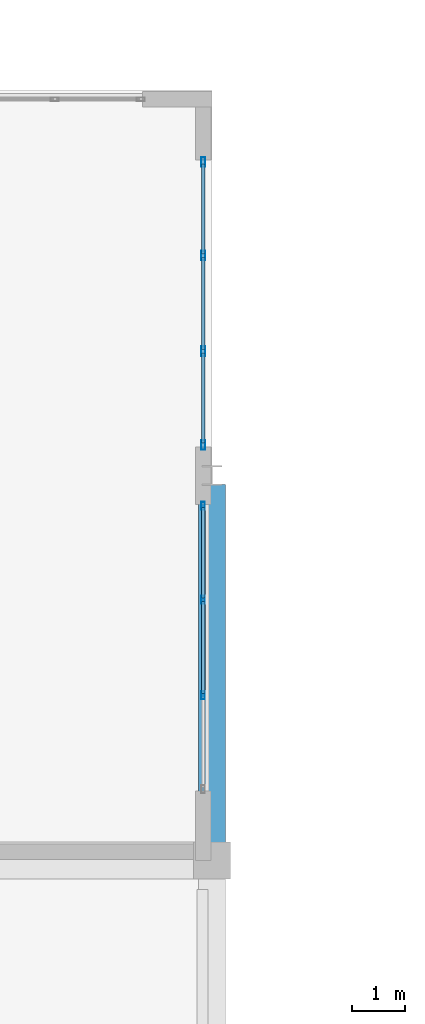
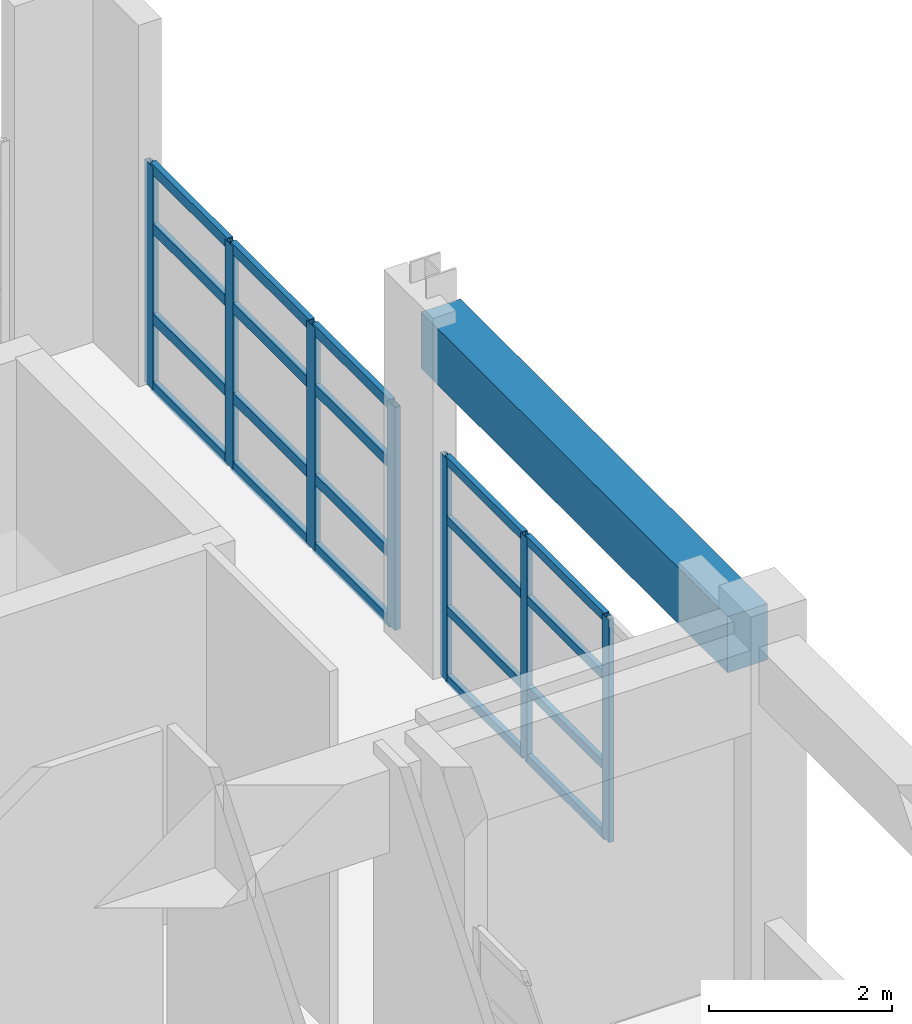
# One storey, part 26 of 103: 27 members, 1 beam, 2 elements without a shape of their own.
"""IFC4 building model written with IfcOpenShell, lengths in metres."""

from ifc_helpers import new_model, si_unit, direction, frame, origin, origin_2d, place, context, subcontext, project, spatial, rectangle, hollow_rectangle, extrude, material, layer, layer_set, material_profile, profile_set, type_object, element, aggregate, save


model = new_model("IFC4")

# Units and contexts
model_context = context("Model", 3, precision=1e-05, world=origin(), true_north=direction((0.0, 1.0)))
body_context = subcontext(model_context, "Body", "Model", "MODEL_VIEW")
ifc_project = project(units=[si_unit("LENGTHUNIT", "METRE"), si_unit("AREAUNIT", "SQUARE_METRE"), si_unit("VOLUMEUNIT", "CUBIC_METRE"), si_unit("PLANEANGLEUNIT", "RADIAN"), si_unit("MASSUNIT", "GRAM", prefix="KILO")], contexts=[model_context])

# Site, building, storey
site_placement = place(None, origin())
site = spatial("IfcSite", under=ifc_project, at=site_placement, CompositionType="ELEMENT")
building_placement = place(site_placement, origin())
building = spatial("IfcBuilding", under=site, at=building_placement, Name="Quendrovan Civic Courthouse", CompositionType="ELEMENT")
storey_placement = place(building_placement, frame((0.0, 0.0, 15.300048828125)))
storey = spatial("IfcBuildingStorey", under=building, at=storey_placement, Name="L04", CompositionType="ELEMENT", Elevation=15.300048828125)

# Beam
ifc_material_1 = material(Name="Concrete C40/50", Category="concrete")
ifc_material_profile_1 = material_profile(ifc_material_1, rectangle(XDim=0.5, YDim=0.75, at=origin_2d()), Name="RC-BM-500x750")
ifc_profile_set_1 = profile_set([ifc_material_profile_1], Name="Concrete C40/50")
beam_type = type_object("IfcBeamType", Name="BM-RC750", PredefinedType="SPANDREL", material=ifc_profile_set_1)
beam_placement = place(storey_placement, frame((16.800048828125, 80.72998046875, 4.284912109375), z_axis=(0.0, 1.0, 0.0), x_axis=(-1.0, 0.0, 0.0)))
element("IfcBeam", 1, at=beam_placement, inside=storey, type_object=beam_type, Name="L04 Girder Y0961", PredefinedType="SPANDREL", context=body_context, shape_type="SweptSolid", body=[
    extrude(rectangle(XDim=0.5, YDim=0.75, at=origin_2d()), origin(), (0.0, 0.0, 1.0), 6.7041015625),
])

# Curtain wall, members
ifc_material_2 = material(Name="Bronze anodised aluminium and low-E glass", Category="aluminium")
ifc_layer = layer(ifc_material_2, 0.179931640625, Name="Bronze anodised aluminium and low-E glass")
ifc_layer_set = layer_set([ifc_layer], Name="Bronze anodised aluminium and low-E glass")
curtain_wall_type = type_object("IfcCurtainWallType", Name="CW-U54x30", PredefinedType="USERDEFINED", material=ifc_layer_set)
curtain_wall_1_placement = place(storey_placement, origin())
curtain_wall_1 = element("IfcCurtainWall", 2, at=curtain_wall_1_placement, inside=storey, type_object=curtain_wall_type, Name="L04 Unitised Hurricane Curtain Wall CW-146", ObjectType="UNITISED CURTAIN WALL", PredefinedType="USERDEFINED")
ifc_material_3 = material(Name="Bronze anodised aluminium", Category="aluminium")
ifc_material_profile_2 = material_profile(ifc_material_3, hollow_rectangle(XDim=0.070068359375, YDim=0.179931640625, WallThickness=0.00390625, at=origin_2d()), Name="CW-MULL-70x180")
ifc_profile_set_2 = profile_set([ifc_material_profile_2], Name="Bronze anodised aluminium")
member_type_1 = type_object("IfcMemberType", Name="CW-MULL-A", PredefinedType="MULLION", material=ifc_profile_set_2)
member_1_placement = place(storey_placement, frame((16.635009765625, 93.465087890625, 0.0), z_axis=(0.0, 0.0, 1.0), x_axis=(1.0, 0.0, 0.0)))
member_1 = element("IfcMember", 3, at=member_1_placement, type_object=member_type_1, Name="CW-146 mullion 1", PredefinedType="MULLION", context=body_context, shape_type="SweptSolid", body=[
    extrude(hollow_rectangle(XDim=0.070068359375, YDim=0.179931640625, WallThickness=0.00390625, at=origin_2d()), origin(), (0.0, 0.0, 1.0), 2.969970703125),
])
member_2_placement = place(storey_placement, frame((16.635009765625, 91.71240234375, 0.0), z_axis=(0.0, 0.0, 1.0), x_axis=(1.0, 0.0, 0.0)))
member_2 = element("IfcMember", 4, at=member_2_placement, type_object=member_type_1, Name="CW-146 mullion 2", PredefinedType="MULLION", context=body_context, shape_type="SweptSolid", body=[
    extrude(hollow_rectangle(XDim=0.070068359375, YDim=0.179931640625, WallThickness=0.00390625, at=origin_2d()), origin(), (0.0, 0.0, 1.0), 2.969970703125),
])
member_3_placement = place(storey_placement, frame((16.635009765625, 89.924560546875, 0.0), z_axis=(0.0, 0.0, 1.0), x_axis=(1.0, 0.0, 0.0)))
member_3 = element("IfcMember", 5, at=member_3_placement, type_object=member_type_1, Name="CW-146 mullion 3", PredefinedType="MULLION", context=body_context, shape_type="SweptSolid", body=[
    extrude(hollow_rectangle(XDim=0.070068359375, YDim=0.179931640625, WallThickness=0.00390625, at=origin_2d()), origin(), (0.0, 0.0, 1.0), 2.969970703125),
])
member_4_placement = place(storey_placement, frame((16.635009765625, 88.172119140625, 0.0), z_axis=(0.0, 0.0, 1.0), x_axis=(1.0, 0.0, 0.0)))
member_4 = element("IfcMember", 6, at=member_4_placement, type_object=member_type_1, Name="CW-146 mullion 4", PredefinedType="MULLION", context=body_context, shape_type="SweptSolid", body=[
    extrude(hollow_rectangle(XDim=0.070068359375, YDim=0.179931640625, WallThickness=0.00390625, at=origin_2d()), origin(), (0.0, 0.0, 1.0), 2.969970703125),
])

curtain_wall_2_placement = place(storey_placement, origin())
curtain_wall_2 = element("IfcCurtainWall", 7, at=curtain_wall_2_placement, inside=storey, type_object=curtain_wall_type, Name="L04 Unitised Hurricane Curtain Wall CW-147", ObjectType="UNITISED CURTAIN WALL", PredefinedType="USERDEFINED")
ifc_material_profile_3 = material_profile(ifc_material_3, hollow_rectangle(XDim=0.06494140625, YDim=0.14990234375, WallThickness=0.00390625, at=origin_2d()), Name="CW-MULL-65x150")
ifc_profile_set_3 = profile_set([ifc_material_profile_3], Name="Bronze anodised aluminium")
member_type_2 = type_object("IfcMemberType", Name="CW-MULL-B", PredefinedType="MULLION", material=ifc_profile_set_3)
member_5_placement = place(storey_placement, frame((16.635009765625, 87.030517578125, 0.0), z_axis=(0.0, 0.0, 1.0), x_axis=(1.0, 0.0, 0.0)))
member_5 = element("IfcMember", 8, at=member_5_placement, type_object=member_type_2, Name="CW-147 mullion 1", PredefinedType="MULLION", context=body_context, shape_type="SweptSolid", body=[
    extrude(hollow_rectangle(XDim=0.06494140625, YDim=0.14990234375, WallThickness=0.00390625, at=origin_2d()), origin(), (0.0, 0.0, 1.0), 2.969970703125),
])
member_6_placement = place(storey_placement, frame((16.635009765625, 85.275390625, 0.0), z_axis=(0.0, 0.0, 1.0), x_axis=(1.0, 0.0, 0.0)))
member_6 = element("IfcMember", 9, at=member_6_placement, type_object=member_type_2, Name="CW-147 mullion 2", PredefinedType="MULLION", context=body_context, shape_type="SweptSolid", body=[
    extrude(hollow_rectangle(XDim=0.06494140625, YDim=0.14990234375, WallThickness=0.00390625, at=origin_2d()), origin(), (0.0, 0.0, 1.0), 2.969970703125),
])
member_7_placement = place(storey_placement, frame((16.635009765625, 83.487548828125, 0.0), z_axis=(0.0, 0.0, 1.0), x_axis=(1.0, 0.0, 0.0)))
member_7 = element("IfcMember", 10, at=member_7_placement, type_object=member_type_2, Name="CW-147 mullion 3", PredefinedType="MULLION", context=body_context, shape_type="SweptSolid", body=[
    extrude(hollow_rectangle(XDim=0.06494140625, YDim=0.14990234375, WallThickness=0.00390625, at=origin_2d()), origin(), (0.0, 0.0, 1.0), 2.969970703125),
])

# Member
ifc_material_profile_4 = material_profile(ifc_material_3, hollow_rectangle(XDim=0.070068359375, YDim=0.139892578125, WallThickness=0.00390625, at=origin_2d()), Name="CW-TRAN-70x140")
ifc_profile_set_4 = profile_set([ifc_material_profile_4], Name="Bronze anodised aluminium")
member_type_3 = type_object("IfcMemberType", Name="CW-TRAN-A", PredefinedType="USERDEFINED", material=ifc_profile_set_4)
member_8_placement = place(storey_placement, frame((16.635009765625, 93.429931640625, 0.034912109375), z_axis=(0.0, -1.0, 0.0), x_axis=(1.0, 0.0, 0.0)))
member_8 = element("IfcMember", 11, at=member_8_placement, type_object=member_type_3, Name="CW-146 transom 1.1", ObjectType="TRANSOM", PredefinedType="USERDEFINED", context=body_context, shape_type="SweptSolid", body=[
    extrude(hollow_rectangle(XDim=0.070068359375, YDim=0.139892578125, WallThickness=0.00390625, at=origin_2d()), origin(), (0.0, 0.0, 1.0), 1.6826171875),
])

member_9_placement = place(storey_placement, frame((16.635009765625, 93.429931640625, 0.949951171875), z_axis=(0.0, -1.0, 0.0), x_axis=(1.0, 0.0, 0.0)))
member_9 = element("IfcMember", 12, at=member_9_placement, type_object=member_type_3, Name="CW-146 transom 1.2", ObjectType="TRANSOM", PredefinedType="USERDEFINED", context=body_context, shape_type="SweptSolid", body=[
    extrude(hollow_rectangle(XDim=0.070068359375, YDim=0.139892578125, WallThickness=0.00390625, at=origin_2d()), origin(), (0.0, 0.0, 1.0), 1.6826171875),
])

member_10_placement = place(storey_placement, frame((16.635009765625, 93.429931640625, 2.14990234375), z_axis=(0.0, -1.0, 0.0), x_axis=(1.0, 0.0, 0.0)))
member_10 = element("IfcMember", 13, at=member_10_placement, type_object=member_type_3, Name="CW-146 transom 1.3", ObjectType="TRANSOM", PredefinedType="USERDEFINED", context=body_context, shape_type="SweptSolid", body=[
    extrude(hollow_rectangle(XDim=0.070068359375, YDim=0.139892578125, WallThickness=0.00390625, at=origin_2d()), origin(), (0.0, 0.0, 1.0), 1.6826171875),
])

member_11_placement = place(storey_placement, frame((16.635009765625, 93.429931640625, 2.93505859375), z_axis=(0.0, -1.0, 0.0), x_axis=(1.0, 0.0, 0.0)))
member_11 = element("IfcMember", 14, at=member_11_placement, type_object=member_type_3, Name="CW-146 transom 1.4", ObjectType="TRANSOM", PredefinedType="USERDEFINED", context=body_context, shape_type="SweptSolid", body=[
    extrude(hollow_rectangle(XDim=0.070068359375, YDim=0.139892578125, WallThickness=0.00390625, at=origin_2d()), origin(), (0.0, 0.0, 1.0), 1.6826171875),
])

member_12_placement = place(storey_placement, frame((16.635009765625, 91.67724609375, 0.034912109375), z_axis=(0.0, -1.0, 0.0), x_axis=(1.0, 0.0, 0.0)))
member_12 = element("IfcMember", 15, at=member_12_placement, type_object=member_type_3, Name="CW-146 transom 2.1", ObjectType="TRANSOM", PredefinedType="USERDEFINED", context=body_context, shape_type="SweptSolid", body=[
    extrude(hollow_rectangle(XDim=0.070068359375, YDim=0.139892578125, WallThickness=0.00390625, at=origin_2d()), origin(), (0.0, 0.0, 1.0), 1.717529296875),
])

member_13_placement = place(storey_placement, frame((16.635009765625, 91.67724609375, 0.949951171875), z_axis=(0.0, -1.0, 0.0), x_axis=(1.0, 0.0, 0.0)))
member_13 = element("IfcMember", 16, at=member_13_placement, type_object=member_type_3, Name="CW-146 transom 2.2", ObjectType="TRANSOM", PredefinedType="USERDEFINED", context=body_context, shape_type="SweptSolid", body=[
    extrude(hollow_rectangle(XDim=0.070068359375, YDim=0.139892578125, WallThickness=0.00390625, at=origin_2d()), origin(), (0.0, 0.0, 1.0), 1.717529296875),
])

member_14_placement = place(storey_placement, frame((16.635009765625, 91.67724609375, 2.14990234375), z_axis=(0.0, -1.0, 0.0), x_axis=(1.0, 0.0, 0.0)))
member_14 = element("IfcMember", 17, at=member_14_placement, type_object=member_type_3, Name="CW-146 transom 2.3", ObjectType="TRANSOM", PredefinedType="USERDEFINED", context=body_context, shape_type="SweptSolid", body=[
    extrude(hollow_rectangle(XDim=0.070068359375, YDim=0.139892578125, WallThickness=0.00390625, at=origin_2d()), origin(), (0.0, 0.0, 1.0), 1.717529296875),
])

member_15_placement = place(storey_placement, frame((16.635009765625, 91.67724609375, 2.93505859375), z_axis=(0.0, -1.0, 0.0), x_axis=(1.0, 0.0, 0.0)))
member_15 = element("IfcMember", 18, at=member_15_placement, type_object=member_type_3, Name="CW-146 transom 2.4", ObjectType="TRANSOM", PredefinedType="USERDEFINED", context=body_context, shape_type="SweptSolid", body=[
    extrude(hollow_rectangle(XDim=0.070068359375, YDim=0.139892578125, WallThickness=0.00390625, at=origin_2d()), origin(), (0.0, 0.0, 1.0), 1.717529296875),
])

member_16_placement = place(storey_placement, frame((16.635009765625, 89.8896484375, 0.034912109375), z_axis=(0.0, -1.0, 0.0), x_axis=(1.0, 0.0, 0.0)))
member_16 = element("IfcMember", 19, at=member_16_placement, type_object=member_type_3, Name="CW-146 transom 3.1", ObjectType="TRANSOM", PredefinedType="USERDEFINED", context=body_context, shape_type="SweptSolid", body=[
    extrude(hollow_rectangle(XDim=0.070068359375, YDim=0.139892578125, WallThickness=0.00390625, at=origin_2d()), origin(), (0.0, 0.0, 1.0), 1.6826171875),
])

member_17_placement = place(storey_placement, frame((16.635009765625, 89.8896484375, 0.949951171875), z_axis=(0.0, -1.0, 0.0), x_axis=(1.0, 0.0, 0.0)))
member_17 = element("IfcMember", 20, at=member_17_placement, type_object=member_type_3, Name="CW-146 transom 3.2", ObjectType="TRANSOM", PredefinedType="USERDEFINED", context=body_context, shape_type="SweptSolid", body=[
    extrude(hollow_rectangle(XDim=0.070068359375, YDim=0.139892578125, WallThickness=0.00390625, at=origin_2d()), origin(), (0.0, 0.0, 1.0), 1.6826171875),
])

member_18_placement = place(storey_placement, frame((16.635009765625, 89.8896484375, 2.14990234375), z_axis=(0.0, -1.0, 0.0), x_axis=(1.0, 0.0, 0.0)))
member_18 = element("IfcMember", 21, at=member_18_placement, type_object=member_type_3, Name="CW-146 transom 3.3", ObjectType="TRANSOM", PredefinedType="USERDEFINED", context=body_context, shape_type="SweptSolid", body=[
    extrude(hollow_rectangle(XDim=0.070068359375, YDim=0.139892578125, WallThickness=0.00390625, at=origin_2d()), origin(), (0.0, 0.0, 1.0), 1.6826171875),
])

member_19_placement = place(storey_placement, frame((16.635009765625, 89.8896484375, 2.93505859375), z_axis=(0.0, -1.0, 0.0), x_axis=(1.0, 0.0, 0.0)))
member_19 = element("IfcMember", 22, at=member_19_placement, type_object=member_type_3, Name="CW-146 transom 3.4", ObjectType="TRANSOM", PredefinedType="USERDEFINED", context=body_context, shape_type="SweptSolid", body=[
    extrude(hollow_rectangle(XDim=0.070068359375, YDim=0.139892578125, WallThickness=0.00390625, at=origin_2d()), origin(), (0.0, 0.0, 1.0), 1.6826171875),
])

aggregate(curtain_wall_1, [member_1, member_2, member_3, member_4, member_8, member_9, member_10, member_11, member_12, member_13, member_14, member_15, member_16, member_17, member_18, member_19])

ifc_material_profile_5 = material_profile(ifc_material_3, hollow_rectangle(XDim=0.06494140625, YDim=0.114990234375, WallThickness=0.00390625, at=origin_2d()), Name="CW-TRAN-65x115")
ifc_profile_set_5 = profile_set([ifc_material_profile_5], Name="Bronze anodised aluminium")
member_type_4 = type_object("IfcMemberType", Name="CW-TRAN-B", PredefinedType="USERDEFINED", material=ifc_profile_set_5)
member_20_placement = place(storey_placement, frame((16.635009765625, 86.998046875, 0.032470703125), z_axis=(0.0, -1.0, 0.0), x_axis=(1.0, 0.0, 0.0)))
member_20 = element("IfcMember", 23, at=member_20_placement, type_object=member_type_4, Name="CW-147 transom 1.1", ObjectType="TRANSOM", PredefinedType="USERDEFINED", context=body_context, shape_type="SweptSolid", body=[
    extrude(hollow_rectangle(XDim=0.06494140625, YDim=0.114990234375, WallThickness=0.00390625, at=origin_2d()), origin(), (0.0, 0.0, 1.0), 1.690185546875),
])

member_21_placement = place(storey_placement, frame((16.635009765625, 86.998046875, 0.949951171875), z_axis=(0.0, -1.0, 0.0), x_axis=(1.0, 0.0, 0.0)))
member_21 = element("IfcMember", 24, at=member_21_placement, type_object=member_type_4, Name="CW-147 transom 1.2", ObjectType="TRANSOM", PredefinedType="USERDEFINED", context=body_context, shape_type="SweptSolid", body=[
    extrude(hollow_rectangle(XDim=0.06494140625, YDim=0.114990234375, WallThickness=0.00390625, at=origin_2d()), origin(), (0.0, 0.0, 1.0), 1.690185546875),
])

member_22_placement = place(storey_placement, frame((16.635009765625, 86.998046875, 2.14990234375), z_axis=(0.0, -1.0, 0.0), x_axis=(1.0, 0.0, 0.0)))
member_22 = element("IfcMember", 25, at=member_22_placement, type_object=member_type_4, Name="CW-147 transom 1.3", ObjectType="TRANSOM", PredefinedType="USERDEFINED", context=body_context, shape_type="SweptSolid", body=[
    extrude(hollow_rectangle(XDim=0.06494140625, YDim=0.114990234375, WallThickness=0.00390625, at=origin_2d()), origin(), (0.0, 0.0, 1.0), 1.690185546875),
])

member_23_placement = place(storey_placement, frame((16.635009765625, 86.998046875, 2.9375), z_axis=(0.0, -1.0, 0.0), x_axis=(1.0, 0.0, 0.0)))
member_23 = element("IfcMember", 26, at=member_23_placement, type_object=member_type_4, Name="CW-147 transom 1.4", ObjectType="TRANSOM", PredefinedType="USERDEFINED", context=body_context, shape_type="SweptSolid", body=[
    extrude(hollow_rectangle(XDim=0.06494140625, YDim=0.114990234375, WallThickness=0.00390625, at=origin_2d()), origin(), (0.0, 0.0, 1.0), 1.690185546875),
])

member_24_placement = place(storey_placement, frame((16.635009765625, 85.242919921875, 0.032470703125), z_axis=(0.0, -1.0, 0.0), x_axis=(1.0, 0.0, 0.0)))
member_24 = element("IfcMember", 27, at=member_24_placement, type_object=member_type_4, Name="CW-147 transom 2.1", ObjectType="TRANSOM", PredefinedType="USERDEFINED", context=body_context, shape_type="SweptSolid", body=[
    extrude(hollow_rectangle(XDim=0.06494140625, YDim=0.114990234375, WallThickness=0.00390625, at=origin_2d()), origin(), (0.0, 0.0, 1.0), 1.72265625),
])

member_25_placement = place(storey_placement, frame((16.635009765625, 85.242919921875, 0.949951171875), z_axis=(0.0, -1.0, 0.0), x_axis=(1.0, 0.0, 0.0)))
member_25 = element("IfcMember", 28, at=member_25_placement, type_object=member_type_4, Name="CW-147 transom 2.2", ObjectType="TRANSOM", PredefinedType="USERDEFINED", context=body_context, shape_type="SweptSolid", body=[
    extrude(hollow_rectangle(XDim=0.06494140625, YDim=0.114990234375, WallThickness=0.00390625, at=origin_2d()), origin(), (0.0, 0.0, 1.0), 1.72265625),
])

member_26_placement = place(storey_placement, frame((16.635009765625, 85.242919921875, 2.14990234375), z_axis=(0.0, -1.0, 0.0), x_axis=(1.0, 0.0, 0.0)))
member_26 = element("IfcMember", 29, at=member_26_placement, type_object=member_type_4, Name="CW-147 transom 2.3", ObjectType="TRANSOM", PredefinedType="USERDEFINED", context=body_context, shape_type="SweptSolid", body=[
    extrude(hollow_rectangle(XDim=0.06494140625, YDim=0.114990234375, WallThickness=0.00390625, at=origin_2d()), origin(), (0.0, 0.0, 1.0), 1.72265625),
])

member_27_placement = place(storey_placement, frame((16.635009765625, 85.242919921875, 2.9375), z_axis=(0.0, -1.0, 0.0), x_axis=(1.0, 0.0, 0.0)))
member_27 = element("IfcMember", 30, at=member_27_placement, type_object=member_type_4, Name="CW-147 transom 2.4", ObjectType="TRANSOM", PredefinedType="USERDEFINED", context=body_context, shape_type="SweptSolid", body=[
    extrude(hollow_rectangle(XDim=0.06494140625, YDim=0.114990234375, WallThickness=0.00390625, at=origin_2d()), origin(), (0.0, 0.0, 1.0), 1.72265625),
])

aggregate(curtain_wall_2, [member_5, member_6, member_7, member_20, member_21, member_22, member_23, member_24, member_25, member_26, member_27])

save(model, "model.ifc")
